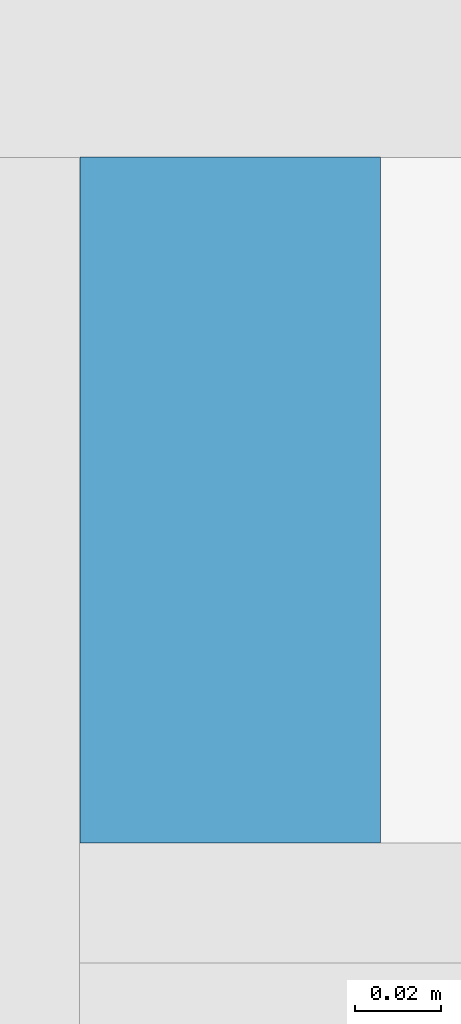
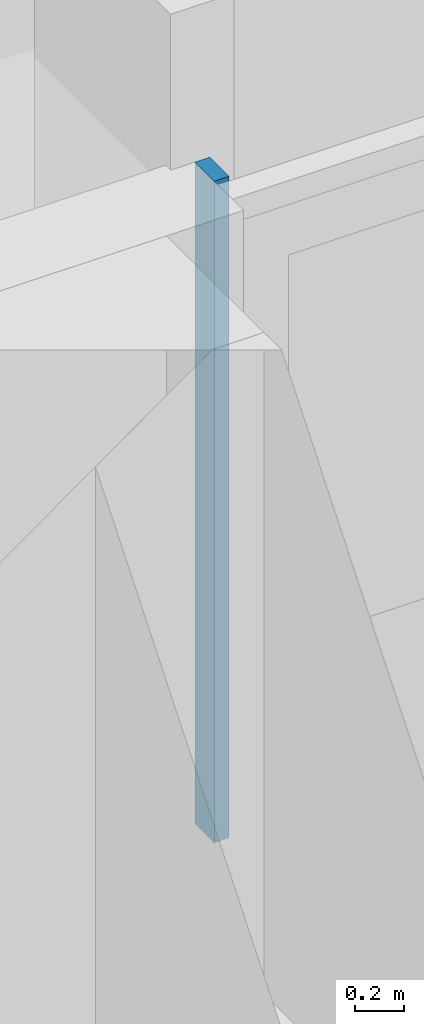
# One storey, part 10 of 30: 1 member, 1 element without a shape of its own.
"""IFC4 building model written with IfcOpenShell, lengths in metres."""

from ifc_helpers import new_model, si_unit, direction, frame, origin, origin_2d, place, context, subcontext, project, spatial, rectangle, extrude, material, material_profile, profile_set, type_object, element, aggregate, save


model = new_model("IFC4")

# Units and contexts
model_context = context("Model", 3, precision=1e-05, world=origin(), true_north=direction((0.0, 1.0)))
body_context = subcontext(model_context, "Body", "Model", "MODEL_VIEW")
ifc_project = project(units=[si_unit("LENGTHUNIT", "METRE"), si_unit("AREAUNIT", "SQUARE_METRE"), si_unit("VOLUMEUNIT", "CUBIC_METRE"), si_unit("PLANEANGLEUNIT", "RADIAN"), si_unit("MASSUNIT", "GRAM", prefix="KILO")], contexts=[model_context])

# Site, building, storey
site_placement = place(None, origin())
site = spatial("IfcSite", under=ifc_project, at=site_placement, CompositionType="ELEMENT")
building_placement = place(site_placement, origin())
building = spatial("IfcBuilding", under=site, at=building_placement, Name="Saffron Gate Tower", CompositionType="ELEMENT")
storey_placement = place(building_placement, frame((0.0, 0.0, 169.050048828125)))
storey = spatial("IfcBuildingStorey", under=building, at=storey_placement, Name="L41", CompositionType="ELEMENT", Elevation=169.050048828125)

# Curtain wall, member
ifc_material = material(Name="Aluminium, bronze anodised", Category="aluminium")
curtain_wall_type = type_object("IfcCurtainWallType", Name="CWS3 curtain wall rear facade", PredefinedType="NOTDEFINED", material=ifc_material)
curtain_wall_placement = place(storey_placement, origin())
curtain_wall = element("IfcCurtainWall", 1, at=curtain_wall_placement, inside=storey, type_object=curtain_wall_type, Name="CWS3 run 7", PredefinedType="NOTDEFINED")
ifc_material_profile = material_profile(ifc_material, rectangle(XDim=0.159912109375, YDim=0.070068359375, at=origin_2d()))
ifc_profile_set = profile_set([ifc_material_profile], Name="Aluminium, bronze anodised")
member_type = type_object("IfcMemberType", Name="CWS3 mullion 70x160", PredefinedType="MULLION", material=ifc_profile_set)
member_placement = place(storey_placement, frame((108.60009765625, 75.52001953125, 0.0), z_axis=(0.0, 0.0, 1.0), x_axis=(0.0, -1.0, 0.0)))
member = element("IfcMember", 2, at=member_placement, type_object=member_type, Name="CWS3 mullion 3", PredefinedType="MULLION", context=body_context, shape_type="SweptSolid", body=[
    extrude(rectangle(XDim=0.159912109375, YDim=0.070068359375, at=origin_2d()), origin(), (0.0, 0.0, 1.0), 3.320068359375),
])
aggregate(curtain_wall, [member])

save(model, "model.ifc")
